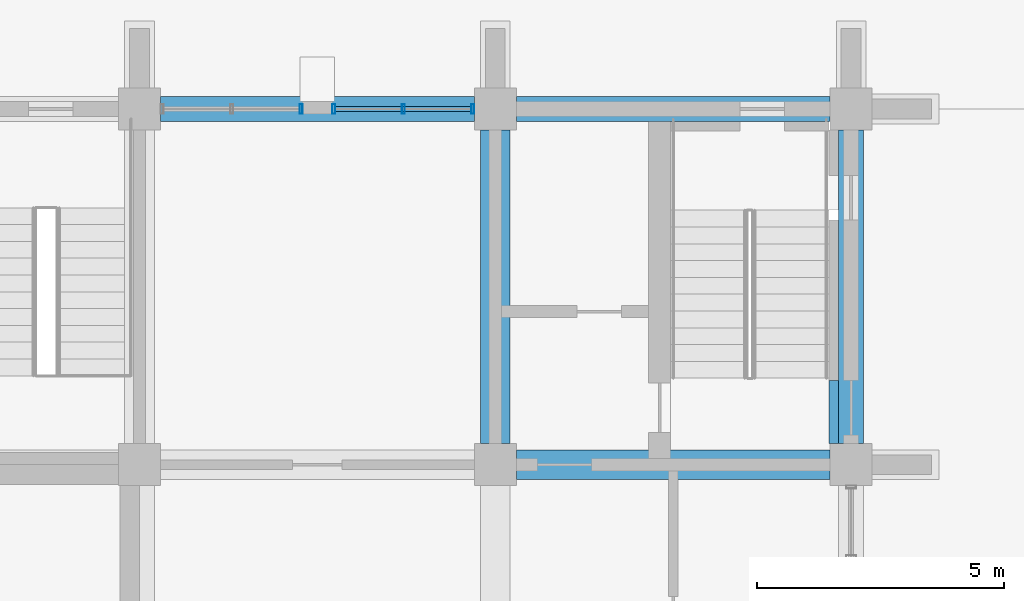
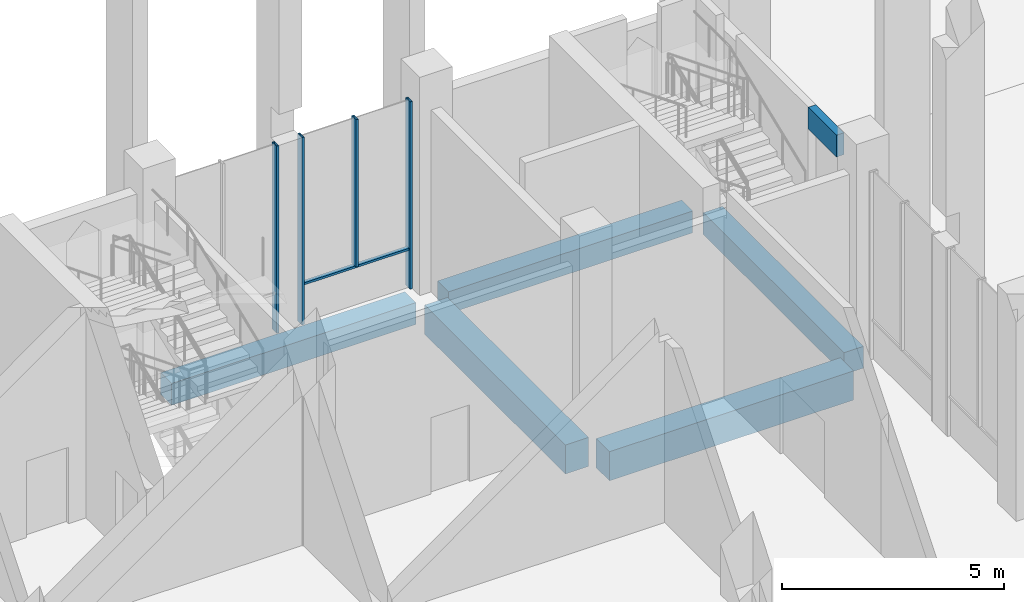
# One storey, part 25 of 50: 6 beams, 5 members, 2 elements without a shape of their own.
"""IFC4 building model written with IfcOpenShell, lengths in metres."""

from ifc_helpers import new_model, si_unit, direction, frame, origin, origin_2d, place, context, subcontext, project, spatial, rectangle, hollow_rectangle, extrude, material, material_profile, profile_set, type_object, element, aggregate, save


model = new_model("IFC4")

# Units and contexts
model_context = context("Model", 3, precision=1e-05, world=origin(), true_north=direction((0.0, 1.0)))
body_context = subcontext(model_context, "Body", "Model", "MODEL_VIEW")
ifc_project = project(units=[si_unit("LENGTHUNIT", "METRE"), si_unit("AREAUNIT", "SQUARE_METRE"), si_unit("VOLUMEUNIT", "CUBIC_METRE"), si_unit("PLANEANGLEUNIT", "RADIAN"), si_unit("MASSUNIT", "GRAM", prefix="KILO")], contexts=[model_context])

# Site, building, storey
site_placement = place(None, origin())
site = spatial("IfcSite", under=ifc_project, at=site_placement, CompositionType="ELEMENT")
building_placement = place(site_placement, origin())
building = spatial("IfcBuilding", under=site, at=building_placement, Name="Silangan Lancet Faculty of Sciences", CompositionType="ELEMENT")
storey_placement = place(building_placement, origin())
storey = spatial("IfcBuildingStorey", under=building, at=storey_placement, Name="L00", CompositionType="ELEMENT", Elevation=0.0)

# Beams
ifc_material_1 = material(Name="Concrete C40/50", Category="concrete")
ifc_material_profile_1 = material_profile(ifc_material_1, rectangle(XDim=0.199951171875, YDim=0.60009765625, at=origin_2d()), Name="RC 200x600")
ifc_profile_set_1 = profile_set([ifc_material_profile_1], Name="Concrete C40/50")
beam_type_1 = type_object("IfcBeamType", Name="BEAM RC 200x600", PredefinedType="BEAM", material=ifc_profile_set_1)
beam_1_placement = place(storey_placement, frame((86.050048828125, 50.824951171875, 5.449951171875), z_axis=(0.0, 1.0, 0.0), x_axis=(-1.0, 0.0, 0.0)))
element("IfcBeam", 1, at=beam_1_placement, inside=storey, type_object=beam_type_1, Name="HDR-L00-EB-B-1", PredefinedType="BEAM", context=body_context, shape_type="SweptSolid", body=[
    extrude(rectangle(XDim=0.199951171875, YDim=0.60009765625, at=origin_2d()), origin(), (0.0, 0.0, 1.0), 1.275146484375),
])
ifc_material_2 = material(Name="Concrete C40/50", Category="concrete")
ifc_material_profile_2 = material_profile(ifc_material_2, rectangle(XDim=0.5, YDim=0.60009765625, at=origin_2d()), Name="RC 500x600")
ifc_profile_set_2 = profile_set([ifc_material_profile_2], Name="Concrete C40/50")
beam_type_2 = type_object("IfcBeamType", Name="BEAM RC 500x600", PredefinedType="BEAM", material=ifc_profile_set_2)
beam_2_placement = place(storey_placement, frame((72.425048828125, 57.60009765625, -0.60009765625), z_axis=(1.0, 0.0, 0.0), x_axis=(0.0, 1.0, 0.0)))
element("IfcBeam", 2, at=beam_2_placement, inside=storey, type_object=beam_type_2, Name="BM-L00-11I-12I", PredefinedType="BEAM", context=body_context, shape_type="SweptSolid", body=[
    extrude(rectangle(XDim=0.5, YDim=0.60009765625, at=origin_2d()), origin(), (0.0, 0.0, 1.0), 6.349853515625),
])
for number, where, z_axis, x_axis, name in (
    (3, (79.625, 57.60009765625, -0.60009765625), (1.0, 0.0, 0.0), (0.0, 1.0, 0.0), "BM-L00-12I-13I"),
    (4, (86.39990234375, 50.824951171875, -0.60009765625), (0.0, 1.0, 0.0), (-1.0, 0.0, 0.0), "BM-L00-13H-13I"),
):
    element("IfcBeam", number, at=place(storey_placement, frame(where, z_axis=z_axis, x_axis=x_axis)), inside=storey, type_object=beam_type_2, Name=name, PredefinedType="BEAM", context=body_context, shape_type="SweptSolid", body=[
        extrude(rectangle(XDim=0.5, YDim=0.60009765625, at=origin_2d()), origin(), (0.0, 0.0, 1.0), 6.35009765625),
    ])
ifc_material_3 = material(Name="Concrete C40/50", Category="concrete")
ifc_material_profile_3 = material_profile(ifc_material_3, rectangle(XDim=0.60009765625, YDim=0.800048828125, at=origin_2d()), Name="RC 600x800")
ifc_profile_set_3 = profile_set([ifc_material_profile_3], Name="Concrete C40/50")
beam_type_3 = type_object("IfcBeamType", Name="BEAM RC 600x800", PredefinedType="BEAM", material=ifc_profile_set_3)
for number, where, z_axis, x_axis, name in (
    (5, (79.625, 50.39990234375, -0.699951171875), (1.0, 0.0, 0.0), (0.0, 1.0, 0.0), "BM-L00-12H-13H"),
    (6, (79.199951171875, 50.824951171875, -0.699951171875), (0.0, 1.0, 0.0), (-1.0, 0.0, 0.0), "BM-L00-12H-12I"),
):
    element("IfcBeam", number, at=place(storey_placement, frame(where, z_axis=z_axis, x_axis=x_axis)), inside=storey, type_object=beam_type_3, Name=name, PredefinedType="BEAM", context=body_context, shape_type="SweptSolid", body=[
        extrude(rectangle(XDim=0.60009765625, YDim=0.800048828125, at=origin_2d()), origin(), (0.0, 0.0, 1.0), 6.35009765625),
    ])

# Curtain wall, members
ifc_material_4 = material(Name="Aluminium framed curtain wall with insulated glass", Category="aluminium")
curtain_wall_type = type_object("IfcCurtainWallType", Name="CW1 Commons and east block glazing", PredefinedType="NOTDEFINED", material=ifc_material_4)
curtain_wall_1_placement = place(storey_placement, origin())
curtain_wall_1 = element("IfcCurtainWall", 7, at=curtain_wall_1_placement, inside=storey, type_object=curtain_wall_type, Name="CW1 East block north L00 bay 1", PredefinedType="NOTDEFINED")
ifc_material_5 = material(Name="Aluminium 6063-T6 extrusion", Category="aluminium")
ifc_material_profile_4 = material_profile(ifc_material_5, hollow_rectangle(XDim=0.06005859375, YDim=0.199951171875, WallThickness=0.00390625, at=origin_2d()), Name="AL BOX 60x200x4")
ifc_profile_set_4 = profile_set([ifc_material_profile_4], Name="Aluminium 6063-T6 extrusion")
member_type_1 = type_object("IfcMemberType", Name="CM1 Mullion 60x200", PredefinedType="MULLION", material=ifc_profile_set_4)
member_1_placement = place(storey_placement, frame((78.7451171875, 57.60009765625, 0.0), z_axis=(0.0, 0.0, 1.0), x_axis=(-1.0, 0.0, 0.0)))
member_1 = element("IfcMember", 8, at=member_1_placement, type_object=member_type_1, Name="CW1 East block north L00 bay 1 mullion 1", PredefinedType="MULLION", context=body_context, shape_type="SweptSolid", body=[
    extrude(hollow_rectangle(XDim=0.06005859375, YDim=0.199951171875, WallThickness=0.00390625, at=origin_2d()), origin(), (0.0, 0.0, 1.0), 5.14990234375),
])
member_2_placement = place(storey_placement, frame((75.93017578125, 57.60009765625, 0.0), z_axis=(0.0, 0.0, 1.0), x_axis=(-1.0, 0.0, 0.0)))
member_2 = element("IfcMember", 9, at=member_2_placement, type_object=member_type_1, Name="CW1 East block north L00 bay 1 mullion 2", PredefinedType="MULLION", context=body_context, shape_type="SweptSolid", body=[
    extrude(hollow_rectangle(XDim=0.06005859375, YDim=0.199951171875, WallThickness=0.00390625, at=origin_2d()), origin(), (0.0, 0.0, 1.0), 5.14990234375),
])
member_3_placement = place(storey_placement, frame((77.337646484375, 57.60009765625, 1.10009765625), z_axis=(0.0, 0.0, 1.0), x_axis=(-1.0, 0.0, 0.0)))
member_3 = element("IfcMember", 10, at=member_3_placement, type_object=member_type_1, Name="CW1 East block north L00 bay 1 mullion 3", PredefinedType="MULLION", context=body_context, shape_type="SweptSolid", body=[
    extrude(hollow_rectangle(XDim=0.06005859375, YDim=0.199951171875, WallThickness=0.00390625, at=origin_2d()), origin(), (0.0, 0.0, 1.0), 4.0498046875),
])

# Curtain wall, member
curtain_wall_2_placement = place(storey_placement, origin())
curtain_wall_2 = element("IfcCurtainWall", 11, at=curtain_wall_2_placement, inside=storey, type_object=curtain_wall_type, Name="CW1 East block north L00 bay 2", PredefinedType="NOTDEFINED")
member_4_placement = place(storey_placement, frame((75.27001953125, 57.60009765625, 0.0), z_axis=(0.0, 0.0, 1.0), x_axis=(-1.0, 0.0, 0.0)))
member_4 = element("IfcMember", 12, at=member_4_placement, type_object=member_type_1, Name="CW1 East block north L00 bay 2 mullion 1", PredefinedType="MULLION", context=body_context, shape_type="SweptSolid", body=[
    extrude(hollow_rectangle(XDim=0.06005859375, YDim=0.199951171875, WallThickness=0.00390625, at=origin_2d()), origin(), (0.0, 0.0, 1.0), 5.14990234375),
])
aggregate(curtain_wall_2, [member_4])

# Member
ifc_material_6 = material(Name="Aluminium 6063-T6 extrusion", Category="aluminium")
ifc_material_profile_5 = material_profile(ifc_material_6, hollow_rectangle(XDim=0.10009765625, YDim=0.06005859375, WallThickness=0.0029296875, at=origin_2d()), Name="AL BOX 100x60x3")
ifc_profile_set_5 = profile_set([ifc_material_profile_5], Name="Aluminium 6063-T6 extrusion")
member_type_2 = type_object("IfcMemberType", Name="CT1 Transom 100x60", PredefinedType="USERDEFINED", material=ifc_profile_set_5)
member_5_placement = place(storey_placement, frame((78.715087890625, 57.60009765625, 1.070068359375), z_axis=(-1.0, 0.0, 0.0), x_axis=(0.0, -1.0, 0.0)))
member_5 = element("IfcMember", 13, at=member_5_placement, type_object=member_type_2, Name="CW1 East block north L00 bay 1 transom 1", ObjectType="TRANSOM", PredefinedType="USERDEFINED", context=body_context, shape_type="SweptSolid", body=[
    extrude(hollow_rectangle(XDim=0.10009765625, YDim=0.06005859375, WallThickness=0.0029296875, at=origin_2d()), origin(), (0.0, 0.0, 1.0), 2.7548828125),
])

aggregate(curtain_wall_1, [member_1, member_2, member_3, member_5])

save(model, "model.ifc")
